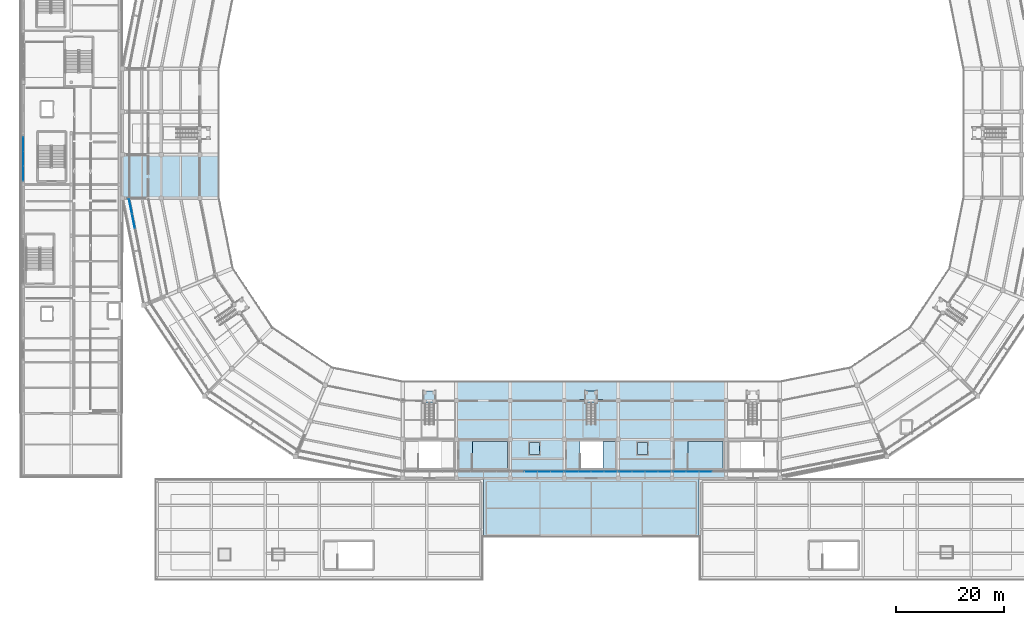
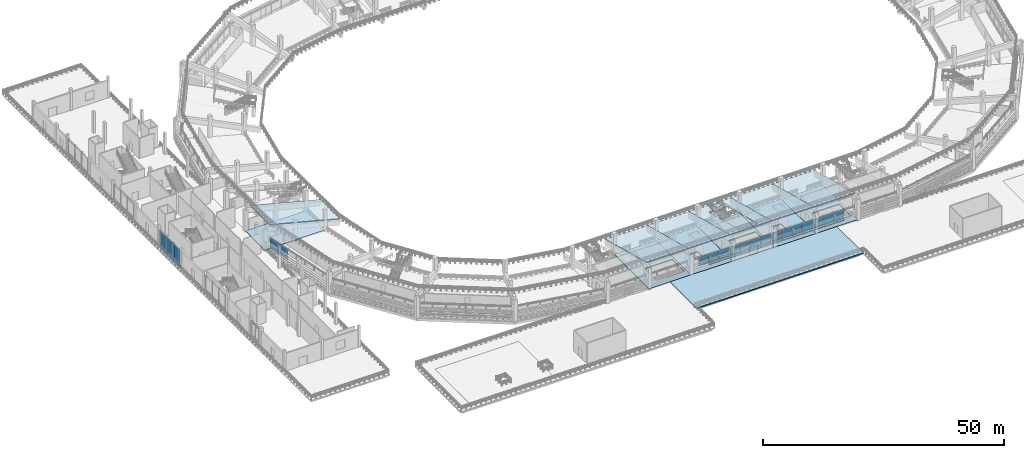
# One storey, part 50 of 96: 37 plates, 15 slabs, 8 elements without a shape of their own.
"""IFC4 building model written with IfcOpenShell, lengths in metres."""

import ifcopenshell
import ifcopenshell.guid

model = None  # the IFC model being written
_history = None  # IfcOwnerHistory: only IFC2X3 demands one
_inside = {}  # id of a spatial element -> (the spatial element, [elements in it])
_under = {}  # id of a project, library or spatial element -> (it, [spatial elements below it])
_declared = {}  # id of a project -> (the project, [libraries it declares])
_typed = {}  # id of a type object -> (the type object, [elements of that type])
_made_of = {}  # id of a material, layer set ... -> (it, [elements and type objects made of it])


def new_model(schema):
    """Start an empty IFC model of exactly this schema.

    Asked for "IFC4X3", IfcOpenShell would pick the latest addendum, in which some entities
    have other attributes; the version numbers below select the first issue.
    IFC2X3 requires an IfcOwnerHistory on every rooted entity: one is made here for all.
    """
    global model, _history
    if schema == "IFC4X3":
        model = ifcopenshell.file(schema_version=(4, 3, 0, 0))
    else:
        model = ifcopenshell.file(schema=schema)
    _inside.clear()
    _under.clear()
    _declared.clear()
    _typed.clear()
    _made_of.clear()
    _history = None
    if model.schema == "IFC2X3":
        org = make("IfcOrganization", Name="unknown")
        user = make(
            "IfcPersonAndOrganization",
            ThePerson=make("IfcPerson", FamilyName="unknown"),
            TheOrganization=org,
        )
        app = make(
            "IfcApplication",
            ApplicationDeveloper=org,
            Version="unknown",
            ApplicationFullName="unknown",
            ApplicationIdentifier="unknown",
        )
        _history = make(
            "IfcOwnerHistory",
            OwningUser=user,
            OwningApplication=app,
            ChangeAction="ADDED",
            CreationDate=0,
        )
    return model


def make(cls, **values):
    """One entity of the class cls with the attributes given. An attribute that is None is left unset."""
    return model.create_entity(
        cls, **{name: value for name, value in values.items() if value is not None}
    )


def rooted(cls, **values):
    """An entity with a GlobalId (a new one), such as an element, a storey or a relation."""
    return make(cls, GlobalId=ifcopenshell.guid.new(), OwnerHistory=_history, **values)


def si_unit(unit_type, name, prefix=None):
    """IfcSIUnit, for example si_unit("LENGTHUNIT", "METRE", prefix="MILLI")."""
    return make("IfcSIUnit", UnitType=unit_type, Prefix=prefix, Name=name)


def assignment(units):
    """IfcUnitAssignment: the units of a project."""
    return None if units is None else make("IfcUnitAssignment", Units=units)


def point(xyz):
    """IfcCartesianPoint."""
    return None if xyz is None else make("IfcCartesianPoint", Coordinates=xyz)


def direction(xyz):
    """IfcDirection."""
    return None if xyz is None else make("IfcDirection", DirectionRatios=xyz)


def frame(location, z_axis=None, x_axis=None):
    """IfcAxis2Placement3D, a coordinate frame: its origin and axes. An axis left out is left unset."""
    return make(
        "IfcAxis2Placement3D",
        Location=point(location),
        Axis=direction(z_axis),
        RefDirection=direction(x_axis),
    )


def frame_2d(location, x_axis=None):
    """IfcAxis2Placement2D, a coordinate frame in the plane: its origin and x axis."""
    return make(
        "IfcAxis2Placement2D", Location=point(location), RefDirection=direction(x_axis)
    )


def origin():
    """The frame at (0, 0, 0) with its axes left unset."""
    return frame((0.0, 0.0, 0.0))


def origin_2d():
    """The frame at (0, 0) in the plane with its x axis left unset."""
    return frame_2d((0.0, 0.0))


def place(relative_to, where):
    """IfcLocalPlacement: puts the frame where relative to a parent placement (None: the world)."""
    return make(
        "IfcLocalPlacement", PlacementRelTo=relative_to, RelativePlacement=where
    )


def context(
    kind, dimensions, precision=None, world=None, true_north=None, identifier=None
):
    """IfcGeometricRepresentationContext, for example the 3D "Model" context."""
    return make(
        "IfcGeometricRepresentationContext",
        ContextIdentifier=identifier,
        ContextType=kind,
        CoordinateSpaceDimension=dimensions,
        Precision=precision,
        WorldCoordinateSystem=world,
        TrueNorth=true_north,
    )


def subcontext(parent, identifier, kind, view, scale=None):
    """IfcGeometricRepresentationSubContext, for example "Body" below "Model"."""
    return make(
        "IfcGeometricRepresentationSubContext",
        ContextIdentifier=identifier,
        ContextType=kind,
        ParentContext=parent,
        TargetScale=scale,
        TargetView=view,
    )


def project(units=None, contexts=None):
    """IfcProject with its units and contexts."""
    return rooted(
        "IfcProject",
        Name="project",
        RepresentationContexts=contexts,
        UnitsInContext=assignment(units),
    )


def spatial(cls, under=None, at=None, **own):
    """A site, building, storey or space (cls), placed at a placement, below another one or the project."""
    s = rooted(cls, ObjectPlacement=at, **own)
    if under is not None:
        _under.setdefault(under.id(), (under, []))[1].append(s)
    return s


def polyline(points):
    """IfcPolyline through the points."""
    return make("IfcPolyline", Points=[point(p) for p in points])


def profile(cls, at=None, kind="AREA", **sizes):
    """A parametric profile (cls). Its sizes go by their IFC names, for example OverallWidth=200.0."""
    return make(cls, ProfileType=kind, Position=at, **sizes)


def rectangle(**sizes):
    """IfcRectangleProfileDef."""
    return profile("IfcRectangleProfileDef", **sizes)


def outline(outer, holes=None, kind="AREA"):
    """IfcArbitraryClosedProfileDef: a profile drawn as a closed curve; with holes, ...WithVoids."""
    if holes is None:
        return make("IfcArbitraryClosedProfileDef", ProfileType=kind, OuterCurve=outer)
    return make(
        "IfcArbitraryProfileDefWithVoids",
        ProfileType=kind,
        OuterCurve=outer,
        InnerCurves=holes,
    )


def extrude(swept, where, along, depth):
    """IfcExtrudedAreaSolid: the profile swept, set in the frame where, extruded along a direction by depth."""
    return make(
        "IfcExtrudedAreaSolid",
        SweptArea=swept,
        Position=where,
        ExtrudedDirection=direction(along),
        Depth=depth,
    )


def shape(context_of_items, identifier, shape_type, items):
    """IfcShapeRepresentation: the items that make up one representation, for example the "Body"."""
    return make(
        "IfcShapeRepresentation",
        ContextOfItems=context_of_items,
        RepresentationIdentifier=identifier,
        RepresentationType=shape_type,
        Items=items,
    )


def material(Name=None, Category=None):
    """IfcMaterial."""
    return make("IfcMaterial", Name=Name, Category=Category)


def layer(
    of_material, thickness, ventilated=None, Name=None, Category=None, Priority=None
):
    """IfcMaterialLayer: one layer of a wall or slab, of a material (None: an air gap)."""
    return make(
        "IfcMaterialLayer",
        Material=of_material,
        LayerThickness=thickness,
        IsVentilated=ventilated,
        Name=Name,
        Category=Category,
        Priority=Priority,
    )


def layer_set(layers, Name=None):
    """IfcMaterialLayerSet."""
    return make("IfcMaterialLayerSet", MaterialLayers=layers, LayerSetName=Name)


def made_of(thing, what):
    """Note that an element or type object is made of a material, layer set ...; save() writes the relation."""
    if what is not None:
        _made_of.setdefault(what.id(), (what, []))[1].append(thing)
    return thing


def type_object(cls, material=None, **own):
    """A type object (cls), such as IfcWallType, which elements share."""
    return made_of(rooted(cls, **own), material)


def element(
    cls,
    number,
    at=None,
    inside=None,
    cuts=None,
    type_object=None,
    material=None,
    context=None,
    identifier="Body",
    shape_type=None,
    held_by="IfcProductDefinitionShape",
    body=None,
    shapes=None,
    **own,
):
    """One element of the class cls, such as IfcWall. Its Tag is "e" and its number.

    at: its placement. inside: the storey or other place that contains it. cuts: it is an
    opening in that element (IfcRelVoidsElement). A single representation is given by context,
    identifier, shape_type and body (its items); several are given by shapes. held_by: the class
    of the entity that holds the representations. save() writes the other relations.
    """
    e = rooted(cls, Tag="e%d" % number, ObjectPlacement=at, **own)
    if body is not None:
        shapes = [shape(context, identifier, shape_type, body)]
    if shapes is not None:
        e.Representation = make(held_by, Representations=shapes)
    if inside is not None:
        _inside.setdefault(inside.id(), (inside, []))[1].append(e)
    if cuts is not None:
        rooted(
            "IfcRelVoidsElement", RelatingBuildingElement=cuts, RelatedOpeningElement=e
        )
    if type_object is not None:
        _typed.setdefault(type_object.id(), (type_object, []))[1].append(e)
    return made_of(e, material)


def aggregate(whole, parts):
    """IfcRelAggregates: a whole, such as a stair, and the parts it consists of."""
    return rooted("IfcRelAggregates", RelatingObject=whole, RelatedObjects=parts)


def save(model, path):
    """Write the relations noted so far, then the file.

    IfcRelAggregates (storeys below a building ...), IfcRelContainedInSpatialStructure (elements
    in a storey), IfcRelDefinesByType, IfcRelAssociatesMaterial and IfcRelDeclares: one each for
    every whole, place, type object, material and project.
    """
    for whole, parts in _under.values():
        aggregate(whole, parts)
    for where, things in _inside.values():
        rooted(
            "IfcRelContainedInSpatialStructure",
            RelatedElements=things,
            RelatingStructure=where,
        )
    for kind, things in _typed.values():
        rooted("IfcRelDefinesByType", RelatedObjects=things, RelatingType=kind)
    for what, things in _made_of.values():
        rooted("IfcRelAssociatesMaterial", RelatedObjects=things, RelatingMaterial=what)
    for by, libraries in _declared.values():
        rooted("IfcRelDeclares", RelatingContext=by, RelatedDefinitions=libraries)
    model.write(path)


model = new_model("IFC4")

# Units and contexts
model_context = context("Model", 3, precision=1e-05, world=origin(), true_north=direction((0.0, 1.0)))
body_context = subcontext(model_context, "Body", "Model", "MODEL_VIEW")
ifc_project = project(units=[si_unit("LENGTHUNIT", "METRE"), si_unit("AREAUNIT", "SQUARE_METRE"), si_unit("VOLUMEUNIT", "CUBIC_METRE"), si_unit("PLANEANGLEUNIT", "RADIAN"), si_unit("MASSUNIT", "GRAM", prefix="KILO")], contexts=[model_context])

# Site, building, storey
site_placement = place(None, origin())
site = spatial("IfcSite", under=ifc_project, at=site_placement, CompositionType="ELEMENT")
building_placement = place(site_placement, origin())
building = spatial("IfcBuilding", under=site, at=building_placement, Name="Candeia Ridge Stadium", CompositionType="ELEMENT")
storey_placement = place(building_placement, frame((0.0, 0.0, 21.60009765625)))
storey = spatial("IfcBuildingStorey", under=building, at=storey_placement, Name="L04", CompositionType="ELEMENT", Elevation=21.60009765625)

# Slabs
ifc_material_1 = material(Name="Concrete C40/50", Category="concrete")
ifc_layer_1 = layer(ifc_material_1, 0.260009765625, Name="Concrete C40/50", Category="concrete")
ifc_layer_set_1 = layer_set([ifc_layer_1], Name="Concrete C40/50")
slab_type_1 = type_object("IfcSlabType", Name="Concourse Structural Slab 260", PredefinedType="FLOOR", material=ifc_layer_set_1)
slab_1_placement = place(storey_placement, frame((0.0, 0.0, -0.260009765625)))
element("IfcSlab", 1, at=slab_1_placement, inside=storey, type_object=slab_type_1, Name="Bowl concourse sector slab L04 bay 14 SLB-L04-0158", PredefinedType="FLOOR", context=body_context, shape_type="SweptSolid", body=[
    extrude(outline(polyline([(33.39990234375, 71.0), (19.0, 71.0), (19.0, 79.0), (33.39990234375, 79.0), (33.39990234375, 71.0)])), origin(), (0.0, 0.0, 1.0), 0.260009765625),
])
slab_2_placement = place(storey_placement, frame((0.0, 0.0, -0.260009765625)))
element("IfcSlab", 2, at=slab_2_placement, inside=storey, type_object=slab_type_1, Name="Bowl concourse sector slab L04 bay 20 SLB-L04-0164", PredefinedType="FLOOR", context=body_context, shape_type="SweptSolid", body=[
    extrude(outline(polyline([(91.0, 33.39990234375), (91.0, 19.0), (81.0, 19.0), (81.0, 33.39990234375), (91.0, 33.39990234375)]), holes=[polyline([(83.95068359375, 20.800048828125), (90.5, 20.800048828125), (90.5, 25.85009765625), (83.95068359375, 25.85009765625), (83.95068359375, 20.800048828125)])]), origin(), (0.0, 0.0, 1.0), 0.260009765625),
])
slab_3_placement = place(storey_placement, frame((0.0, 0.0, -0.260009765625)))
element("IfcSlab", 3, at=slab_3_placement, inside=storey, type_object=slab_type_1, Name="Bowl concourse sector slab L04 bay 21 SLB-L04-0165", PredefinedType="FLOOR", context=body_context, shape_type="SweptSolid", body=[
    extrude(outline(polyline([(101.0, 33.39990234375), (101.0, 19.0), (91.0, 19.0), (91.0, 33.39990234375), (101.0, 33.39990234375)]), holes=[polyline([(96.449951171875, 23.35009765625), (96.449951171875, 25.64990234375), (94.550048828125, 25.64990234375), (94.550048828125, 23.35009765625), (96.449951171875, 23.35009765625)])]), origin(), (0.0, 0.0, 1.0), 0.260009765625),
])
slab_4_placement = place(storey_placement, frame((0.0, 0.0, -0.260009765625)))
element("IfcSlab", 4, at=slab_4_placement, inside=storey, type_object=slab_type_1, Name="Bowl concourse sector slab L04 bay 22 SLB-L04-0166", PredefinedType="FLOOR", context=body_context, shape_type="SweptSolid", body=[
    extrude(outline(polyline([(111.0, 33.39990234375), (111.0, 19.0), (101.0, 19.0), (101.0, 33.39990234375), (111.0, 33.39990234375)]), holes=[polyline([(103.95068359375, 20.800048828125), (110.5, 20.800048828125), (110.5, 25.85009765625), (103.95068359375, 25.85009765625), (103.95068359375, 20.800048828125)])]), origin(), (0.0, 0.0, 1.0), 0.260009765625),
])
slab_5_placement = place(storey_placement, frame((0.0, 0.0, -0.260009765625)))
element("IfcSlab", 5, at=slab_5_placement, inside=storey, type_object=slab_type_1, Name="Bowl concourse sector slab L04 bay 23 SLB-L04-0167", PredefinedType="FLOOR", context=body_context, shape_type="SweptSolid", body=[
    extrude(outline(polyline([(121.0, 33.39990234375), (121.0, 19.0), (111.0, 19.0), (111.0, 33.39990234375), (121.0, 33.39990234375)]), holes=[polyline([(116.449951171875, 23.35009765625), (116.449951171875, 25.64990234375), (114.550048828125, 25.64990234375), (114.550048828125, 23.35009765625), (116.449951171875, 23.35009765625)])]), origin(), (0.0, 0.0, 1.0), 0.260009765625),
])
slab_6_placement = place(storey_placement, frame((0.0, 0.0, -0.260009765625)))
element("IfcSlab", 6, at=slab_6_placement, inside=storey, type_object=slab_type_1, Name="Bowl concourse sector slab L04 bay 24 SLB-L04-0168", PredefinedType="FLOOR", context=body_context, shape_type="SweptSolid", body=[
    extrude(outline(polyline([(131.0, 33.39990234375), (131.0, 19.0), (121.0, 19.0), (121.0, 33.39990234375), (131.0, 33.39990234375)]), holes=[polyline([(123.95068359375, 20.800048828125), (130.5, 20.800048828125), (130.5, 25.85009765625), (123.95068359375, 25.85009765625), (123.95068359375, 20.800048828125)])]), origin(), (0.0, 0.0, 1.0), 0.260009765625),
])

# Stair, slab
ifc_material_2 = material(Name="Precast concrete C45/55", Category="concrete")
stair_type = type_object("IfcStairType", Name="Spectator Vomitory Straight Stair 2200", PredefinedType="STRAIGHT_RUN_STAIR", material=ifc_material_2)
stair_1_placement = place(storey_placement, origin())
stair_1 = element("IfcStair", 7, at=stair_1_placement, inside=storey, type_object=stair_type, Name="Vomitory stair VS31", PredefinedType="STRAIGHT_RUN_STAIR")
ifc_layer_2 = layer(ifc_material_1, 0.199951171875, Name="Concrete C40/50", Category="concrete")
ifc_layer_set_2 = layer_set([ifc_layer_2], Name="Concrete C40/50")
slab_type_2 = type_object("IfcSlabType", Name="Core Stair Landing Slab 200", PredefinedType="LANDING", material=ifc_layer_set_2)
slab_7_placement = place(storey_placement, frame((0.0, 0.0, 2.493896484375)))
slab_7 = element("IfcSlab", 8, at=slab_7_placement, type_object=slab_type_2, Name="VS31 landing 1", PredefinedType="LANDING", context=body_context, shape_type="SweptSolid", body=[
    extrude(outline(polyline([(74.8798828125, 32.967529296875), (74.8798828125, 35.218017578125), (77.1201171875, 35.218017578125), (77.1201171875, 32.967529296875), (74.8798828125, 32.967529296875)])), origin(), (0.0, 0.0, 1.0), 0.199951171875),
])
aggregate(stair_1, [slab_7])

stair_2_placement = place(storey_placement, origin())
stair_2 = element("IfcStair", 9, at=stair_2_placement, inside=storey, type_object=stair_type, Name="Vomitory stair VS32", PredefinedType="STRAIGHT_RUN_STAIR")
slab_8_placement = place(storey_placement, frame((0.0, 0.0, 2.493896484375)))
slab_8 = element("IfcSlab", 10, at=slab_8_placement, type_object=slab_type_2, Name="VS32 landing 1", PredefinedType="LANDING", context=body_context, shape_type="SweptSolid", body=[
    extrude(outline(polyline([(104.8798828125, 32.967529296875), (104.8798828125, 35.218017578125), (107.1201171875, 35.218017578125), (107.1201171875, 32.967529296875), (104.8798828125, 32.967529296875)])), origin(), (0.0, 0.0, 1.0), 0.199951171875),
])
aggregate(stair_2, [slab_8])

# Curtain wall, plates
ifc_material_3 = material(Name="Aluminium Anodized Warm Bronze", Category="aluminium")
curtain_wall_type_1 = type_object("IfcCurtainWallType", Name="Concourse Recessed Unitised Curtain Wall", PredefinedType="NOTDEFINED", material=ifc_material_3)
curtain_wall_1_placement = place(storey_placement, origin())
curtain_wall_1 = element("IfcCurtainWall", 11, at=curtain_wall_1_placement, inside=storey, type_object=curtain_wall_type_1, Name="Unitised curtain wall CW-BWL-L04-20", PredefinedType="NOTDEFINED")
ifc_material_4 = material(Name="Aluminium Insulated Spandrel", Category="aluminium")
ifc_layer_3 = layer(ifc_material_4, 0.06494140625, Name="Aluminium Insulated Spandrel", Category="aluminium")
ifc_layer_set_3 = layer_set([ifc_layer_3], Name="Aluminium Insulated Spandrel")
plate_type_1 = type_object("IfcPlateType", Name="Insulated Bronze Spandrel Panel SP1", PredefinedType="CURTAIN_PANEL", material=ifc_layer_set_3)
plate_1_placement = place(storey_placement, frame((97.205078125, 20.199951171875, 0.0400390625), z_axis=(0.0, 0.0, 1.0), x_axis=(1.0, 0.0, 0.0)))
plate_1 = element("IfcPlate", 12, at=plate_1_placement, type_object=plate_type_1, Name="Curtain wall spandrel panel CW-BWL-L04-20-SP2", PredefinedType="CURTAIN_PANEL", context=body_context, shape_type="SweptSolid", body=[
    extrude(rectangle(XDim=2.340087890625, YDim=0.06494140625, at=origin_2d()), origin(), (0.0, 0.0, 1.0), 0.613037109375),
])
plate_2_placement = place(storey_placement, frame((99.614990234375, 20.199951171875, 0.0400390625), z_axis=(0.0, 0.0, 1.0), x_axis=(1.0, 0.0, 0.0)))
plate_2 = element("IfcPlate", 13, at=plate_2_placement, type_object=plate_type_1, Name="Curtain wall spandrel panel CW-BWL-L04-20-SP3", PredefinedType="CURTAIN_PANEL", context=body_context, shape_type="SweptSolid", body=[
    extrude(rectangle(XDim=2.340087890625, YDim=0.06494140625, at=origin_2d()), origin(), (0.0, 0.0, 1.0), 0.613037109375),
])

curtain_wall_2_placement = place(storey_placement, origin())
curtain_wall_2 = element("IfcCurtainWall", 14, at=curtain_wall_2_placement, inside=storey, type_object=curtain_wall_type_1, Name="Unitised curtain wall CW-BWL-L04-21", PredefinedType="NOTDEFINED")
ifc_layer_4 = layer(ifc_material_4, 0.06494140625, Name="Aluminium Insulated Spandrel", Category="aluminium")
ifc_layer_set_4 = layer_set([ifc_layer_4], Name="Aluminium Insulated Spandrel")
plate_type_2 = type_object("IfcPlateType", Name="Insulated Bronze Spandrel Panel SP2", PredefinedType="CURTAIN_PANEL", material=ifc_layer_set_4)
plate_3_placement = place(storey_placement, frame((102.385009765625, 20.199951171875, 0.0400390625), z_axis=(0.0, 0.0, 1.0), x_axis=(1.0, 0.0, 0.0)))
plate_3 = element("IfcPlate", 15, at=plate_3_placement, type_object=plate_type_2, Name="Curtain wall spandrel panel CW-BWL-L04-21-SP0", PredefinedType="CURTAIN_PANEL", context=body_context, shape_type="SweptSolid", body=[
    extrude(rectangle(XDim=2.340087890625, YDim=0.06494140625, at=origin_2d()), origin(), (0.0, 0.0, 1.0), 0.613037109375),
])
plate_4_placement = place(storey_placement, frame((104.794921875, 20.199951171875, 0.0400390625), z_axis=(0.0, 0.0, 1.0), x_axis=(1.0, 0.0, 0.0)))
plate_4 = element("IfcPlate", 16, at=plate_4_placement, type_object=plate_type_2, Name="Curtain wall spandrel panel CW-BWL-L04-21-SP1", PredefinedType="CURTAIN_PANEL", context=body_context, shape_type="SweptSolid", body=[
    extrude(rectangle(XDim=2.340087890625, YDim=0.06494140625, at=origin_2d()), origin(), (0.0, 0.0, 1.0), 0.613037109375),
])
plate_5_placement = place(storey_placement, frame((107.205078125, 20.199951171875, 0.0400390625), z_axis=(0.0, 0.0, 1.0), x_axis=(1.0, 0.0, 0.0)))
plate_5 = element("IfcPlate", 17, at=plate_5_placement, type_object=plate_type_2, Name="Curtain wall spandrel panel CW-BWL-L04-21-SP2", PredefinedType="CURTAIN_PANEL", context=body_context, shape_type="SweptSolid", body=[
    extrude(rectangle(XDim=2.340087890625, YDim=0.06494140625, at=origin_2d()), origin(), (0.0, 0.0, 1.0), 0.613037109375),
])
plate_6_placement = place(storey_placement, frame((109.614990234375, 20.199951171875, 0.0400390625), z_axis=(0.0, 0.0, 1.0), x_axis=(1.0, 0.0, 0.0)))
plate_6 = element("IfcPlate", 18, at=plate_6_placement, type_object=plate_type_2, Name="Curtain wall spandrel panel CW-BWL-L04-21-SP3", PredefinedType="CURTAIN_PANEL", context=body_context, shape_type="SweptSolid", body=[
    extrude(rectangle(XDim=2.340087890625, YDim=0.06494140625, at=origin_2d()), origin(), (0.0, 0.0, 1.0), 0.613037109375),
])

curtain_wall_3_placement = place(storey_placement, origin())
curtain_wall_3 = element("IfcCurtainWall", 19, at=curtain_wall_3_placement, inside=storey, type_object=curtain_wall_type_1, Name="Unitised curtain wall CW-BWL-L04-14", PredefinedType="NOTDEFINED")
ifc_layer_5 = layer(ifc_material_4, 0.06494140625, Name="Aluminium Insulated Spandrel", Category="aluminium")
ifc_layer_set_5 = layer_set([ifc_layer_5], Name="Aluminium Insulated Spandrel")
plate_type_3 = type_object("IfcPlateType", Name="Insulated Bronze Spandrel Panel SP4", PredefinedType="CURTAIN_PANEL", material=ifc_layer_set_5)
plate_7_placement = place(storey_placement, frame((20.50634765625, 69.460205078125, 0.0400390625), z_axis=(0.0, 0.0, 1.0), x_axis=(0.195090320544, -0.980785280696, 0.0)))
plate_7 = element("IfcPlate", 20, at=plate_7_placement, type_object=plate_type_3, Name="Curtain wall spandrel panel CW-BWL-L04-14-SP0", PredefinedType="CURTAIN_PANEL", context=body_context, shape_type="SweptSolid", body=[
    extrude(rectangle(XDim=2.710205078125, YDim=0.06494140625, at=origin_2d()), origin(), (0.0, 0.0, 1.0), 0.613037109375),
])
plate_8_placement = place(storey_placement, frame((21.048583984375, 66.7333984375, 0.0400390625), z_axis=(0.0, 0.0, 1.0), x_axis=(0.195090320544, -0.980785280696, 0.0)))
plate_8 = element("IfcPlate", 21, at=plate_8_placement, type_object=plate_type_3, Name="Curtain wall spandrel panel CW-BWL-L04-14-SP1", PredefinedType="CURTAIN_PANEL", context=body_context, shape_type="SweptSolid", body=[
    extrude(rectangle(XDim=2.710205078125, YDim=0.06494140625, at=origin_2d()), origin(), (0.0, 0.0, 1.0), 0.613037109375),
])

curtain_wall_4_placement = place(storey_placement, origin())
curtain_wall_4 = element("IfcCurtainWall", 22, at=curtain_wall_4_placement, inside=storey, type_object=curtain_wall_type_1, Name="Unitised curtain wall CW-BWL-L04-22", PredefinedType="NOTDEFINED")
plate_9_placement = place(storey_placement, frame((112.385009765625, 20.199951171875, 0.0400390625), z_axis=(0.0, 0.0, 1.0), x_axis=(1.0, 0.0, 0.0)))
plate_9 = element("IfcPlate", 23, at=plate_9_placement, type_object=plate_type_3, Name="Curtain wall spandrel panel CW-BWL-L04-22-SP0", PredefinedType="CURTAIN_PANEL", context=body_context, shape_type="SweptSolid", body=[
    extrude(rectangle(XDim=2.340087890625, YDim=0.06494140625, at=origin_2d()), origin(), (0.0, 0.0, 1.0), 0.613037109375),
])
plate_10_placement = place(storey_placement, frame((114.794921875, 20.199951171875, 0.0400390625), z_axis=(0.0, 0.0, 1.0), x_axis=(1.0, 0.0, 0.0)))
plate_10 = element("IfcPlate", 24, at=plate_10_placement, type_object=plate_type_3, Name="Curtain wall spandrel panel CW-BWL-L04-22-SP1", PredefinedType="CURTAIN_PANEL", context=body_context, shape_type="SweptSolid", body=[
    extrude(rectangle(XDim=2.340087890625, YDim=0.06494140625, at=origin_2d()), origin(), (0.0, 0.0, 1.0), 0.613037109375),
])
plate_11_placement = place(storey_placement, frame((117.205078125, 20.199951171875, 0.0400390625), z_axis=(0.0, 0.0, 1.0), x_axis=(1.0, 0.0, 0.0)))
plate_11 = element("IfcPlate", 25, at=plate_11_placement, type_object=plate_type_3, Name="Curtain wall spandrel panel CW-BWL-L04-22-SP2", PredefinedType="CURTAIN_PANEL", context=body_context, shape_type="SweptSolid", body=[
    extrude(rectangle(XDim=2.340087890625, YDim=0.06494140625, at=origin_2d()), origin(), (0.0, 0.0, 1.0), 0.613037109375),
])
plate_12_placement = place(storey_placement, frame((119.614990234375, 20.199951171875, 0.0400390625), z_axis=(0.0, 0.0, 1.0), x_axis=(1.0, 0.0, 0.0)))
plate_12 = element("IfcPlate", 26, at=plate_12_placement, type_object=plate_type_3, Name="Curtain wall spandrel panel CW-BWL-L04-22-SP3", PredefinedType="CURTAIN_PANEL", context=body_context, shape_type="SweptSolid", body=[
    extrude(rectangle(XDim=2.340087890625, YDim=0.06494140625, at=origin_2d()), origin(), (0.0, 0.0, 1.0), 0.613037109375),
])

curtain_wall_5_placement = place(storey_placement, origin())
curtain_wall_5 = element("IfcCurtainWall", 27, at=curtain_wall_5_placement, inside=storey, type_object=curtain_wall_type_1, Name="Unitised curtain wall CW-BWL-L04-23", PredefinedType="NOTDEFINED")
ifc_layer_6 = layer(ifc_material_4, 0.06494140625, Name="Aluminium Insulated Spandrel", Category="aluminium")
ifc_layer_set_6 = layer_set([ifc_layer_6], Name="Aluminium Insulated Spandrel")
plate_type_4 = type_object("IfcPlateType", Name="Insulated Bronze Spandrel Panel SP5", PredefinedType="CURTAIN_PANEL", material=ifc_layer_set_6)
plate_13_placement = place(storey_placement, frame((122.385009765625, 20.199951171875, 0.0400390625), z_axis=(0.0, 0.0, 1.0), x_axis=(1.0, 0.0, 0.0)))
plate_13 = element("IfcPlate", 28, at=plate_13_placement, type_object=plate_type_4, Name="Curtain wall spandrel panel CW-BWL-L04-23-SP0", PredefinedType="CURTAIN_PANEL", context=body_context, shape_type="SweptSolid", body=[
    extrude(rectangle(XDim=2.340087890625, YDim=0.06494140625, at=origin_2d()), origin(), (0.0, 0.0, 1.0), 0.613037109375),
])
plate_14_placement = place(storey_placement, frame((124.794921875, 20.199951171875, 0.0400390625), z_axis=(0.0, 0.0, 1.0), x_axis=(1.0, 0.0, 0.0)))
plate_14 = element("IfcPlate", 29, at=plate_14_placement, type_object=plate_type_4, Name="Curtain wall spandrel panel CW-BWL-L04-23-SP1", PredefinedType="CURTAIN_PANEL", context=body_context, shape_type="SweptSolid", body=[
    extrude(rectangle(XDim=2.340087890625, YDim=0.06494140625, at=origin_2d()), origin(), (0.0, 0.0, 1.0), 0.613037109375),
])
plate_15_placement = place(storey_placement, frame((127.205078125, 20.199951171875, 0.0400390625), z_axis=(0.0, 0.0, 1.0), x_axis=(1.0, 0.0, 0.0)))
plate_15 = element("IfcPlate", 30, at=plate_15_placement, type_object=plate_type_4, Name="Curtain wall spandrel panel CW-BWL-L04-23-SP2", PredefinedType="CURTAIN_PANEL", context=body_context, shape_type="SweptSolid", body=[
    extrude(rectangle(XDim=2.340087890625, YDim=0.06494140625, at=origin_2d()), origin(), (0.0, 0.0, 1.0), 0.613037109375),
])

curtain_wall_type_2 = type_object("IfcCurtainWallType", Name="West Pavilion Hospitality Curtain Wall", PredefinedType="NOTDEFINED", material=ifc_material_3)
curtain_wall_6_placement = place(storey_placement, origin())
curtain_wall_6 = element("IfcCurtainWall", 31, at=curtain_wall_6_placement, inside=storey, type_object=curtain_wall_type_2, Name="Unitised curtain wall CW-WNG-L04-095", PredefinedType="NOTDEFINED")
ifc_layer_7 = layer(ifc_material_4, 0.06494140625, Name="Aluminium Insulated Spandrel", Category="aluminium")
ifc_layer_set_7 = layer_set([ifc_layer_7], Name="Aluminium Insulated Spandrel")
plate_type_5 = type_object("IfcPlateType", Name="Insulated Cedar-Tone Spandrel Panel SP3", PredefinedType="CURTAIN_PANEL", material=ifc_layer_set_7)
plate_16_placement = place(storey_placement, frame((0.60009765625, 75.523193359375, 0.039794921875), z_axis=(0.0, 0.0, 1.0), x_axis=(0.0, 1.0, 0.0)))
plate_16 = element("IfcPlate", 32, at=plate_16_placement, type_object=plate_type_5, Name="Curtain wall spandrel panel CW-WNG-L04-095-SP0", PredefinedType="CURTAIN_PANEL", context=body_context, shape_type="SweptSolid", body=[
    extrude(rectangle(XDim=2.65673828125, YDim=0.06494140625, at=origin_2d()), origin(), (0.0, 0.0, 1.0), 1.02001953125),
])
plate_17_placement = place(storey_placement, frame((0.60009765625, 78.25, 0.039794921875), z_axis=(0.0, 0.0, 1.0), x_axis=(0.0, 1.0, 0.0)))
plate_17 = element("IfcPlate", 33, at=plate_17_placement, type_object=plate_type_5, Name="Curtain wall spandrel panel CW-WNG-L04-095-SP1", PredefinedType="CURTAIN_PANEL", context=body_context, shape_type="SweptSolid", body=[
    extrude(rectangle(XDim=2.65673828125, YDim=0.06494140625, at=origin_2d()), origin(), (0.0, 0.0, 1.0), 1.02001953125),
])
plate_18_placement = place(storey_placement, frame((0.60009765625, 80.976806640625, 0.039794921875), z_axis=(0.0, 0.0, 1.0), x_axis=(0.0, 1.0, 0.0)))
plate_18 = element("IfcPlate", 34, at=plate_18_placement, type_object=plate_type_5, Name="Curtain wall spandrel panel CW-WNG-L04-095-SP2", PredefinedType="CURTAIN_PANEL", context=body_context, shape_type="SweptSolid", body=[
    extrude(rectangle(XDim=2.65673828125, YDim=0.06494140625, at=origin_2d()), origin(), (0.0, 0.0, 1.0), 1.02001953125),
])
ifc_material_5 = material(Name="Tempered Low-E Double Glazing", Category="glass")
ifc_layer_8 = layer(ifc_material_5, 0.035888671875, Name="Tempered Low-E Double Glazing", Category="glass")
ifc_layer_set_8 = layer_set([ifc_layer_8], Name="Tempered Low-E Double Glazing")
plate_type_6 = type_object("IfcPlateType", Name="Pavilion Panorama Glass Panel GP4", PredefinedType="CURTAIN_PANEL", material=ifc_layer_set_8)
plate_19_placement = place(storey_placement, frame((0.60009765625, 75.523193359375, 1.14013671875), z_axis=(0.0, 0.0, 1.0), x_axis=(0.0, 1.0, 0.0)))
plate_19 = element("IfcPlate", 35, at=plate_19_placement, type_object=plate_type_6, Name="Curtain wall vision glass panel CW-WNG-L04-095-GP0", PredefinedType="CURTAIN_PANEL", context=body_context, shape_type="SweptSolid", body=[
    extrude(rectangle(XDim=2.65673828125, YDim=0.035888671875, at=origin_2d()), origin(), (0.0, 0.0, 1.0), 3.304931640625),
])
plate_20_placement = place(storey_placement, frame((0.60009765625, 78.25, 1.14013671875), z_axis=(0.0, 0.0, 1.0), x_axis=(0.0, 1.0, 0.0)))
plate_20 = element("IfcPlate", 36, at=plate_20_placement, type_object=plate_type_6, Name="Curtain wall vision glass panel CW-WNG-L04-095-GP1", PredefinedType="CURTAIN_PANEL", context=body_context, shape_type="SweptSolid", body=[
    extrude(rectangle(XDim=2.65673828125, YDim=0.035888671875, at=origin_2d()), origin(), (0.0, 0.0, 1.0), 3.304931640625),
])
plate_21_placement = place(storey_placement, frame((0.60009765625, 80.976806640625, 1.14013671875), z_axis=(0.0, 0.0, 1.0), x_axis=(0.0, 1.0, 0.0)))
plate_21 = element("IfcPlate", 37, at=plate_21_placement, type_object=plate_type_6, Name="Curtain wall vision glass panel CW-WNG-L04-095-GP2", PredefinedType="CURTAIN_PANEL", context=body_context, shape_type="SweptSolid", body=[
    extrude(rectangle(XDim=2.65673828125, YDim=0.035888671875, at=origin_2d()), origin(), (0.0, 0.0, 1.0), 3.304931640625),
])
aggregate(curtain_wall_6, [plate_16, plate_19, plate_17, plate_20, plate_18, plate_21])

# Slab
ifc_layer_9 = layer(ifc_material_1, 0.27001953125, Name="Concrete C40/50", Category="concrete")
ifc_layer_set_9 = layer_set([ifc_layer_9], Name="Concrete C40/50")
slab_type_3 = type_object("IfcSlabType", Name="Planted Podium Terrace Deck 270", PredefinedType="ROOF", material=ifc_layer_set_9)
slab_9_placement = place(storey_placement, frame((0.0, 0.0, -0.27001953125)))
element("IfcSlab", 38, at=slab_9_placement, inside=storey, type_object=slab_type_3, Name="Planted roof garden slab SLB-L04-0305", PredefinedType="ROOF", context=body_context, shape_type="SweptSolid", body=[
    extrude(outline(polyline([(86.0, 8.0), (86.0, 19.0), (126.0, 19.0), (126.0, 8.0), (86.0, 8.0)])), origin(), (0.0, 0.0, 1.0), 0.27001953125),
])

# Plate
ifc_layer_10 = layer(ifc_material_5, 0.035888671875, Name="Tempered Low-E Double Glazing", Category="glass")
ifc_layer_set_10 = layer_set([ifc_layer_10], Name="Tempered Low-E Double Glazing")
plate_type_7 = type_object("IfcPlateType", Name="Solar Control Vision Glass Panel GP1", PredefinedType="CURTAIN_PANEL", material=ifc_layer_set_10)
plate_22_placement = place(storey_placement, frame((20.50634765625, 69.460205078125, 0.733154296875), z_axis=(0.0, 0.0, 1.0), x_axis=(0.195090320544, -0.980785280696, 0.0)))
plate_22 = element("IfcPlate", 39, at=plate_22_placement, type_object=plate_type_7, Name="Curtain wall vision glass panel CW-BWL-L04-14-GP0", PredefinedType="CURTAIN_PANEL", context=body_context, shape_type="SweptSolid", body=[
    extrude(rectangle(XDim=2.710205078125, YDim=0.035888671875, at=origin_2d()), origin(), (0.0, 0.0, 1.0), 1.9990234375),
])

plate_23_placement = place(storey_placement, frame((21.048583984375, 66.7333984375, 0.733154296875), z_axis=(0.0, 0.0, 1.0), x_axis=(0.195090320544, -0.980785280696, 0.0)))
plate_23 = element("IfcPlate", 40, at=plate_23_placement, type_object=plate_type_7, Name="Curtain wall vision glass panel CW-BWL-L04-14-GP1", PredefinedType="CURTAIN_PANEL", context=body_context, shape_type="SweptSolid", body=[
    extrude(rectangle(XDim=2.710205078125, YDim=0.035888671875, at=origin_2d()), origin(), (0.0, 0.0, 1.0), 1.9990234375),
])

aggregate(curtain_wall_3, [plate_7, plate_22, plate_8, plate_23])

plate_24_placement = place(storey_placement, frame((94.794921875, 20.199951171875, 0.733154296875), z_axis=(0.0, 0.0, 1.0), x_axis=(1.0, 0.0, 0.0)))
plate_24 = element("IfcPlate", 41, at=plate_24_placement, type_object=plate_type_7, Name="Curtain wall vision glass panel CW-BWL-L04-20-GP1", PredefinedType="CURTAIN_PANEL", context=body_context, shape_type="SweptSolid", body=[
    extrude(rectangle(XDim=2.340087890625, YDim=0.035888671875, at=origin_2d()), origin(), (0.0, 0.0, 1.0), 1.9990234375),
])

plate_25_placement = place(storey_placement, frame((97.205078125, 20.199951171875, 0.733154296875), z_axis=(0.0, 0.0, 1.0), x_axis=(1.0, 0.0, 0.0)))
plate_25 = element("IfcPlate", 42, at=plate_25_placement, type_object=plate_type_7, Name="Curtain wall vision glass panel CW-BWL-L04-20-GP2", PredefinedType="CURTAIN_PANEL", context=body_context, shape_type="SweptSolid", body=[
    extrude(rectangle(XDim=2.340087890625, YDim=0.035888671875, at=origin_2d()), origin(), (0.0, 0.0, 1.0), 1.9990234375),
])

plate_26_placement = place(storey_placement, frame((99.614990234375, 20.199951171875, 0.733154296875), z_axis=(0.0, 0.0, 1.0), x_axis=(1.0, 0.0, 0.0)))
plate_26 = element("IfcPlate", 43, at=plate_26_placement, type_object=plate_type_7, Name="Curtain wall vision glass panel CW-BWL-L04-20-GP3", PredefinedType="CURTAIN_PANEL", context=body_context, shape_type="SweptSolid", body=[
    extrude(rectangle(XDim=2.340087890625, YDim=0.035888671875, at=origin_2d()), origin(), (0.0, 0.0, 1.0), 1.9990234375),
])

aggregate(curtain_wall_1, [plate_24, plate_1, plate_25, plate_2, plate_26])

ifc_layer_11 = layer(ifc_material_5, 0.035888671875, Name="Tempered Low-E Double Glazing", Category="glass")
ifc_layer_set_11 = layer_set([ifc_layer_11], Name="Tempered Low-E Double Glazing")
plate_type_8 = type_object("IfcPlateType", Name="Solar Control Vision Glass Panel GP2", PredefinedType="CURTAIN_PANEL", material=ifc_layer_set_11)
plate_27_placement = place(storey_placement, frame((102.385009765625, 20.199951171875, 0.733154296875), z_axis=(0.0, 0.0, 1.0), x_axis=(1.0, 0.0, 0.0)))
plate_27 = element("IfcPlate", 44, at=plate_27_placement, type_object=plate_type_8, Name="Curtain wall vision glass panel CW-BWL-L04-21-GP0", PredefinedType="CURTAIN_PANEL", context=body_context, shape_type="SweptSolid", body=[
    extrude(rectangle(XDim=2.340087890625, YDim=0.035888671875, at=origin_2d()), origin(), (0.0, 0.0, 1.0), 1.9990234375),
])

plate_28_placement = place(storey_placement, frame((104.794921875, 20.199951171875, 0.733154296875), z_axis=(0.0, 0.0, 1.0), x_axis=(1.0, 0.0, 0.0)))
plate_28 = element("IfcPlate", 45, at=plate_28_placement, type_object=plate_type_8, Name="Curtain wall vision glass panel CW-BWL-L04-21-GP1", PredefinedType="CURTAIN_PANEL", context=body_context, shape_type="SweptSolid", body=[
    extrude(rectangle(XDim=2.340087890625, YDim=0.035888671875, at=origin_2d()), origin(), (0.0, 0.0, 1.0), 1.9990234375),
])

plate_29_placement = place(storey_placement, frame((107.205078125, 20.199951171875, 0.733154296875), z_axis=(0.0, 0.0, 1.0), x_axis=(1.0, 0.0, 0.0)))
plate_29 = element("IfcPlate", 46, at=plate_29_placement, type_object=plate_type_8, Name="Curtain wall vision glass panel CW-BWL-L04-21-GP2", PredefinedType="CURTAIN_PANEL", context=body_context, shape_type="SweptSolid", body=[
    extrude(rectangle(XDim=2.340087890625, YDim=0.035888671875, at=origin_2d()), origin(), (0.0, 0.0, 1.0), 1.9990234375),
])

plate_30_placement = place(storey_placement, frame((109.614990234375, 20.199951171875, 0.733154296875), z_axis=(0.0, 0.0, 1.0), x_axis=(1.0, 0.0, 0.0)))
plate_30 = element("IfcPlate", 47, at=plate_30_placement, type_object=plate_type_8, Name="Curtain wall vision glass panel CW-BWL-L04-21-GP3", PredefinedType="CURTAIN_PANEL", context=body_context, shape_type="SweptSolid", body=[
    extrude(rectangle(XDim=2.340087890625, YDim=0.035888671875, at=origin_2d()), origin(), (0.0, 0.0, 1.0), 1.9990234375),
])

aggregate(curtain_wall_2, [plate_3, plate_27, plate_4, plate_28, plate_5, plate_29, plate_6, plate_30])

ifc_layer_12 = layer(ifc_material_5, 0.035888671875, Name="Tempered Low-E Double Glazing", Category="glass")
ifc_layer_set_12 = layer_set([ifc_layer_12], Name="Tempered Low-E Double Glazing")
plate_type_9 = type_object("IfcPlateType", Name="Solar Control Vision Glass Panel GP5", PredefinedType="CURTAIN_PANEL", material=ifc_layer_set_12)
plate_31_placement = place(storey_placement, frame((112.385009765625, 20.199951171875, 0.733154296875), z_axis=(0.0, 0.0, 1.0), x_axis=(1.0, 0.0, 0.0)))
plate_31 = element("IfcPlate", 48, at=plate_31_placement, type_object=plate_type_9, Name="Curtain wall vision glass panel CW-BWL-L04-22-GP0", PredefinedType="CURTAIN_PANEL", context=body_context, shape_type="SweptSolid", body=[
    extrude(rectangle(XDim=2.340087890625, YDim=0.035888671875, at=origin_2d()), origin(), (0.0, 0.0, 1.0), 1.9990234375),
])

plate_32_placement = place(storey_placement, frame((114.794921875, 20.199951171875, 0.733154296875), z_axis=(0.0, 0.0, 1.0), x_axis=(1.0, 0.0, 0.0)))
plate_32 = element("IfcPlate", 49, at=plate_32_placement, type_object=plate_type_9, Name="Curtain wall vision glass panel CW-BWL-L04-22-GP1", PredefinedType="CURTAIN_PANEL", context=body_context, shape_type="SweptSolid", body=[
    extrude(rectangle(XDim=2.340087890625, YDim=0.035888671875, at=origin_2d()), origin(), (0.0, 0.0, 1.0), 1.9990234375),
])

plate_33_placement = place(storey_placement, frame((117.205078125, 20.199951171875, 0.733154296875), z_axis=(0.0, 0.0, 1.0), x_axis=(1.0, 0.0, 0.0)))
plate_33 = element("IfcPlate", 50, at=plate_33_placement, type_object=plate_type_9, Name="Curtain wall vision glass panel CW-BWL-L04-22-GP2", PredefinedType="CURTAIN_PANEL", context=body_context, shape_type="SweptSolid", body=[
    extrude(rectangle(XDim=2.340087890625, YDim=0.035888671875, at=origin_2d()), origin(), (0.0, 0.0, 1.0), 1.9990234375),
])

plate_34_placement = place(storey_placement, frame((119.614990234375, 20.199951171875, 0.733154296875), z_axis=(0.0, 0.0, 1.0), x_axis=(1.0, 0.0, 0.0)))
plate_34 = element("IfcPlate", 51, at=plate_34_placement, type_object=plate_type_9, Name="Curtain wall vision glass panel CW-BWL-L04-22-GP3", PredefinedType="CURTAIN_PANEL", context=body_context, shape_type="SweptSolid", body=[
    extrude(rectangle(XDim=2.340087890625, YDim=0.035888671875, at=origin_2d()), origin(), (0.0, 0.0, 1.0), 1.9990234375),
])

aggregate(curtain_wall_4, [plate_9, plate_31, plate_10, plate_32, plate_11, plate_33, plate_12, plate_34])

ifc_layer_13 = layer(ifc_material_5, 0.035888671875, Name="Tempered Low-E Double Glazing", Category="glass")
ifc_layer_set_13 = layer_set([ifc_layer_13], Name="Tempered Low-E Double Glazing")
plate_type_10 = type_object("IfcPlateType", Name="Solar Control Vision Glass Panel GP6", PredefinedType="CURTAIN_PANEL", material=ifc_layer_set_13)
plate_35_placement = place(storey_placement, frame((122.385009765625, 20.199951171875, 0.733154296875), z_axis=(0.0, 0.0, 1.0), x_axis=(1.0, 0.0, 0.0)))
plate_35 = element("IfcPlate", 52, at=plate_35_placement, type_object=plate_type_10, Name="Curtain wall vision glass panel CW-BWL-L04-23-GP0", PredefinedType="CURTAIN_PANEL", context=body_context, shape_type="SweptSolid", body=[
    extrude(rectangle(XDim=2.340087890625, YDim=0.035888671875, at=origin_2d()), origin(), (0.0, 0.0, 1.0), 1.9990234375),
])

plate_36_placement = place(storey_placement, frame((124.794921875, 20.199951171875, 0.733154296875), z_axis=(0.0, 0.0, 1.0), x_axis=(1.0, 0.0, 0.0)))
plate_36 = element("IfcPlate", 53, at=plate_36_placement, type_object=plate_type_10, Name="Curtain wall vision glass panel CW-BWL-L04-23-GP1", PredefinedType="CURTAIN_PANEL", context=body_context, shape_type="SweptSolid", body=[
    extrude(rectangle(XDim=2.340087890625, YDim=0.035888671875, at=origin_2d()), origin(), (0.0, 0.0, 1.0), 1.9990234375),
])

plate_37_placement = place(storey_placement, frame((127.205078125, 20.199951171875, 0.733154296875), z_axis=(0.0, 0.0, 1.0), x_axis=(1.0, 0.0, 0.0)))
plate_37 = element("IfcPlate", 54, at=plate_37_placement, type_object=plate_type_10, Name="Curtain wall vision glass panel CW-BWL-L04-23-GP2", PredefinedType="CURTAIN_PANEL", context=body_context, shape_type="SweptSolid", body=[
    extrude(rectangle(XDim=2.340087890625, YDim=0.035888671875, at=origin_2d()), origin(), (0.0, 0.0, 1.0), 1.9990234375),
])

aggregate(curtain_wall_5, [plate_13, plate_35, plate_14, plate_36, plate_15, plate_37])

# Slabs
ifc_layer_14 = layer(ifc_material_2, 0.239990234375, Name="Precast concrete C45/55", Category="concrete")
ifc_layer_set_14 = layer_set([ifc_layer_14], Name="Precast concrete C45/55")
slab_type_4 = type_object("IfcSlabType", Name="Upper Cantilever Tier Precast 240", PredefinedType="USERDEFINED", material=ifc_layer_set_14)
slab_10_placement = place(storey_placement, frame((37.0, 79.0, 1.64990234375), z_axis=(0.25066676964, 0.0, 0.968073432441), x_axis=(0.0, -1.0, 0.0)))
element("IfcSlab", 55, at=slab_10_placement, inside=storey, type_object=slab_type_4, Name="Stand Upper Tier Stands Bay 14", ObjectType="SEATING TIER", PredefinedType="USERDEFINED", context=body_context, shape_type="SweptSolid", body=[
    extrude(outline(polyline([(0.0, 0.0), (8.0, 0.0), (8.0, -17.354105861331373), (0.0, -17.354105861331373), (0.0, 0.0)])), origin(), (0.0, 0.0, -1.0), 0.239990234375),
])
for number, where, z_axis, x_axis, name in (
    (56, (81.0, 37.0, 1.64990234375), (0.0, 0.25066676964, 0.968073432441), (1.0, 0.0, 0.0), "Stand Upper Tier Stands Bay 20"),
    (57, (91.0, 37.0, 1.64990234375), (0.0, 0.25066676964, 0.968073432441), (1.0, 0.0, 0.0), "Stand Upper Tier Stands Bay 21"),
):
    element("IfcSlab", number, at=place(storey_placement, frame(where, z_axis=z_axis, x_axis=x_axis)), inside=storey, type_object=slab_type_4, Name=name, ObjectType="SEATING TIER", PredefinedType="USERDEFINED", context=body_context, shape_type="SweptSolid", body=[
        extrude(outline(polyline([(0.0, 0.0), (10.0, 0.0), (10.0, -17.354105861331373), (0.0, -17.354105861331373), (0.0, 0.0)])), origin(), (0.0, 0.0, -1.0), 0.239990234375),
    ])
slab_11_placement = place(storey_placement, frame((101.0, 37.0, 1.64990234375), z_axis=(0.0, 0.25066676964, 0.968073432441), x_axis=(1.0, 0.0, 0.0)))
element("IfcSlab", 58, at=slab_11_placement, inside=storey, type_object=slab_type_4, Name="Stand Upper Tier Stands Bay 22", ObjectType="SEATING TIER", PredefinedType="USERDEFINED", context=body_context, shape_type="SweptSolid", body=[
    extrude(outline(polyline([(0.0, 0.0), (10.0, 0.0), (10.0, -17.354105861331373), (0.0, -17.354105861331373), (0.0, 0.0)]), holes=[polyline([(2.800048828125, -3.470940189864134), (7.199951171875, -3.470940189864134), (7.199951171875, -16.65981104534905), (2.800048828125, -16.65981104534905), (2.800048828125, -3.470940189864134)])]), origin(), (0.0, 0.0, -1.0), 0.239990234375),
])
for number, where, z_axis, x_axis, name in (
    (59, (111.0, 37.0, 1.64990234375), (0.0, 0.25066676964, 0.968073432441), (1.0, 0.0, 0.0), "Stand Upper Tier Stands Bay 23"),
    (60, (121.0, 37.0, 1.64990234375), (0.0, 0.25066676964, 0.968073432441), (1.0, 0.0, 0.0), "Stand Upper Tier Stands Bay 24"),
):
    element("IfcSlab", number, at=place(storey_placement, frame(where, z_axis=z_axis, x_axis=x_axis)), inside=storey, type_object=slab_type_4, Name=name, ObjectType="SEATING TIER", PredefinedType="USERDEFINED", context=body_context, shape_type="SweptSolid", body=[
        extrude(outline(polyline([(0.0, 0.0), (10.0, 0.0), (10.0, -17.354105861331373), (0.0, -17.354105861331373), (0.0, 0.0)])), origin(), (0.0, 0.0, -1.0), 0.239990234375),
    ])

save(model, "model.ifc")
